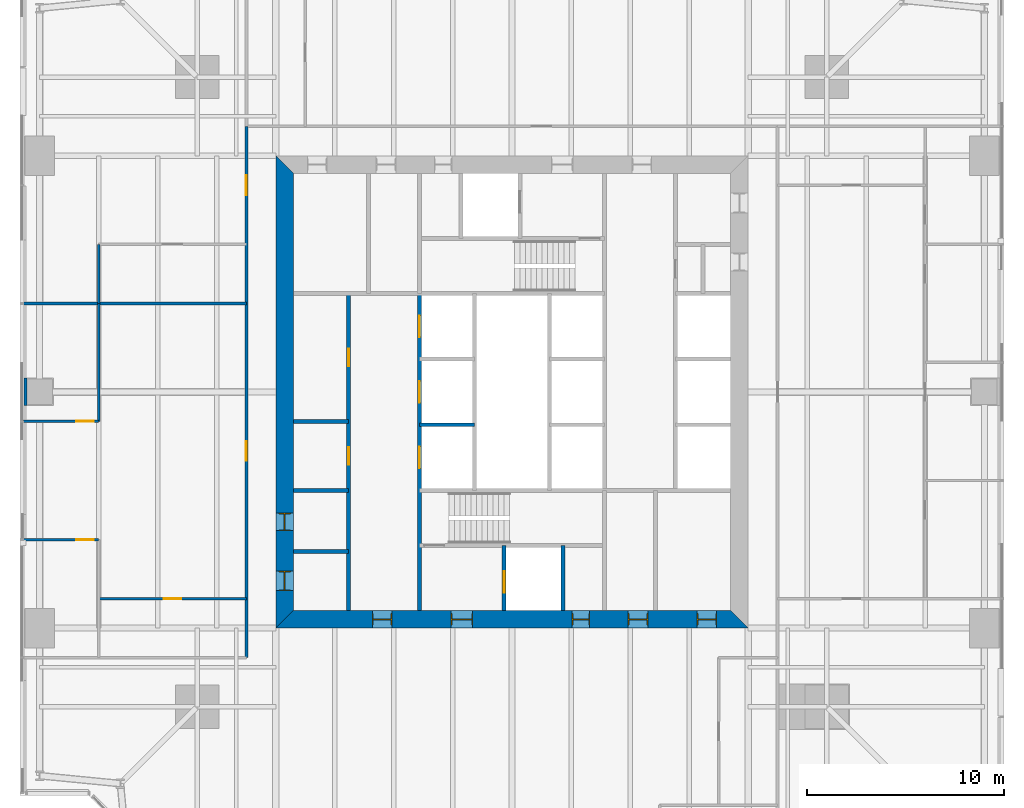
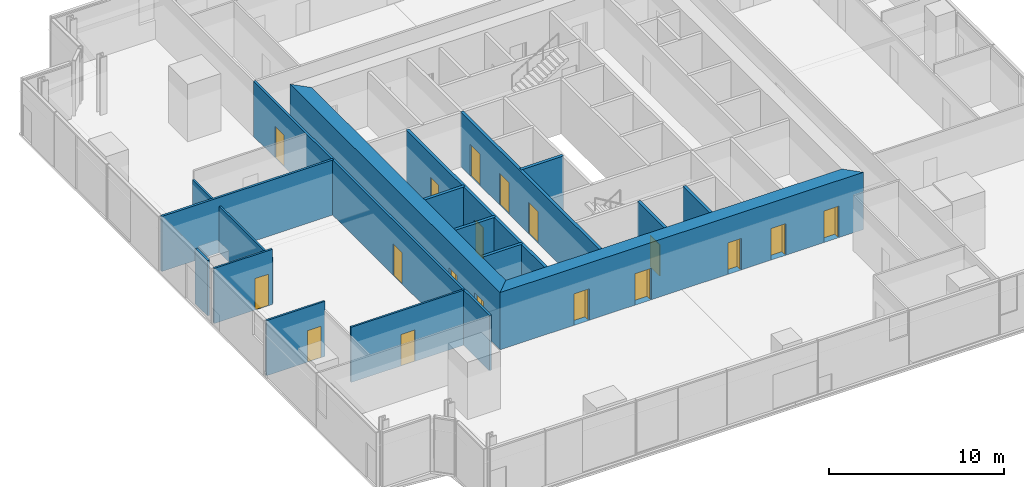
# One storey, part 9 of 13: 18 doors, 18 walls, 18 openings.
"""IFC4 building model written with IfcOpenShell, lengths in metres."""

from ifc_helpers import new_model, si_unit, direction, frame, frame_2d, origin, place, context, subcontext, project, spatial, polyline, rectangle, outline, extrude, material, layer, layer_set, type_object, element, fill, save


model = new_model("IFC4")

# Units and contexts
model_context = context("Model", 3, precision=1e-05, world=origin(), true_north=direction((0.0, 1.0)))
body_context = subcontext(model_context, "Body", "Model", "MODEL_VIEW")
ifc_project = project(units=[si_unit("LENGTHUNIT", "METRE"), si_unit("AREAUNIT", "SQUARE_METRE"), si_unit("VOLUMEUNIT", "CUBIC_METRE"), si_unit("PLANEANGLEUNIT", "RADIAN"), si_unit("MASSUNIT", "GRAM", prefix="KILO")], contexts=[model_context])

# Site, building, storey
site_placement = place(None, origin())
site = spatial("IfcSite", under=ifc_project, at=site_placement, CompositionType="ELEMENT")
building_placement = place(site_placement, origin())
building = spatial("IfcBuilding", under=site, at=building_placement, Name="Fenwick Lantern Interchange", CompositionType="ELEMENT")
storey_placement = place(building_placement, frame((0.0, 0.0, 138.39990234375)))
storey = spatial("IfcBuildingStorey", under=building, at=storey_placement, Name="L32", CompositionType="ELEMENT", Elevation=138.39990234375)

# Wall
ifc_material_1 = material(Name="Fire-rated gypsum board encasement on steel studs, 2 hour", Category="steel")
ifc_layer_1 = layer(ifc_material_1, 1.39990234375)
ifc_layer_set_1 = layer_set([ifc_layer_1], Name="COLUMN PIER 1400")
wall_type_1 = type_object("IfcWallType", Name="COLUMN PIER 1400", PredefinedType="PARTITIONING", material=ifc_layer_set_1)
wall_1_placement = place(storey_placement, frame((0.199951171875, 25.0, 0.0), z_axis=(0.0, 0.0, 1.0), x_axis=(1.0, 0.0, 0.0)))
element("IfcWall", 1, at=wall_1_placement, inside=storey, type_object=wall_type_1, Name="L32/W/PIER/CW3", PredefinedType="PARTITIONING", context=body_context, shape_type="SweptSolid", body=[
    extrude(rectangle(XDim=0.150146484375, YDim=1.39990234375, at=frame_2d((0.0751953125, 0.0))), origin(), (0.0, 0.0, 1.0), 3.85009765625),
])

# Wall, openings, doors
ifc_material_2 = material(Name="Concrete masonry ASTM C90 Grade N", Category="masonry")
ifc_layer_2 = layer(ifc_material_2, 0.199951171875)
ifc_layer_set_2 = layer_set([ifc_layer_2], Name="Concrete masonry ASTM C90 Grade N")
wall_type_2 = type_object("IfcWallType", Name="CORE PARTITION 200", PredefinedType="PARTITIONING", material=ifc_layer_set_2)
wall_2_placement = place(storey_placement, frame((16.699951171875, 13.89990234375, 0.0), z_axis=(0.0, 0.0, 1.0), x_axis=(0.0, 1.0, 0.0)))
wall_2 = element("IfcWall", 2, at=wall_2_placement, inside=storey, type_object=wall_type_2, Name="L32/W/CORES/a", PredefinedType="PARTITIONING", context=body_context, shape_type="SweptSolid", body=[
    extrude(rectangle(XDim=16.10009765625, YDim=0.199951171875, at=frame_2d((8.050048828125, 0.0))), origin(), (0.0, 0.0, 1.0), 3.800048828125),
])
opening_1_placement = place(wall_2_placement, frame((7.39990234375, 0.0, 0.0)))
opening_1 = element("IfcOpeningElement", 3, at=opening_1_placement, cuts=wall_2, Name="Opening L32-D009", PredefinedType="OPENING", context=body_context, shape_type="SweptSolid", body=[
    extrude(rectangle(XDim=0.89990234375, YDim=2.199951171875, at=frame_2d((0.449951171875, 1.10009765625))), frame((0.0, 0.10986328125, 0.0), z_axis=(0.0, -1.0, 0.0), x_axis=(1.0, 0.0, 0.0)), (0.0, 0.0, 1.0), 0.219970703125),
])
opening_2_placement = place(wall_2_placement, frame((12.39990234375, 0.0, 0.0)))
opening_2 = element("IfcOpeningElement", 4, at=opening_2_placement, cuts=wall_2, Name="Opening L32-D010", PredefinedType="OPENING", context=body_context, shape_type="SweptSolid", body=[
    extrude(rectangle(XDim=0.89990234375, YDim=2.199951171875, at=frame_2d((0.449951171875, 1.10009765625))), frame((0.0, 0.10986328125, 0.0), z_axis=(0.0, -1.0, 0.0), x_axis=(1.0, 0.0, 0.0)), (0.0, 0.0, 1.0), 0.219970703125),
])
ifc_material_3 = material(Name="Steel door and frame", Category="steel")
door_type_1 = type_object("IfcDoorType", Name="SERVICE DOOR 900 X 2200", OperationType="SINGLE_SWING_LEFT", PredefinedType="DOOR", material=ifc_material_3)
door_1_placement = place(opening_1_placement, origin())
door_1 = element("IfcDoor", 5, at=door_1_placement, inside=storey, type_object=door_type_1, Name="Service door", OperationType="SINGLE_SWING_LEFT", OverallHeight=2.199951171875, OverallWidth=0.89990234375, PredefinedType="DOOR", context=body_context, shape_type="SweptSolid", body=[
    extrude(rectangle(XDim=0.89990234375, YDim=2.199951171875, at=frame_2d((0.449951171875, 1.10009765625))), frame((0.0, 0.02490234375, 0.0), z_axis=(0.0, -1.0, 0.0), x_axis=(1.0, 0.0, 0.0)), (0.0, 0.0, 1.0), 0.050048828125),
])
fill(opening_1, door_1)
door_2_placement = place(opening_2_placement, origin())
door_2 = element("IfcDoor", 6, at=door_2_placement, inside=storey, type_object=door_type_1, Name="Service door", OperationType="SINGLE_SWING_LEFT", OverallHeight=2.199951171875, OverallWidth=0.89990234375, PredefinedType="DOOR", context=body_context, shape_type="SweptSolid", body=[
    extrude(rectangle(XDim=0.89990234375, YDim=2.199951171875, at=frame_2d((0.449951171875, 1.10009765625))), frame((0.0, 0.02490234375, 0.0), z_axis=(0.0, -1.0, 0.0), x_axis=(1.0, 0.0, 0.0)), (0.0, 0.0, 1.0), 0.050048828125),
])
fill(opening_2, door_2)

# Wall
wall_3_placement = place(storey_placement, frame((20.300048828125, 23.333251953125, 0.0), z_axis=(0.0, 0.0, 1.0), x_axis=(1.0, 0.0, 0.0)))
element("IfcWall", 7, at=wall_3_placement, inside=storey, type_object=wall_type_2, Name="L32/W/CORES/e1", PredefinedType="PARTITIONING", context=body_context, shape_type="SweptSolid", body=[
    extrude(rectangle(XDim=2.800048828125, YDim=0.199951171875, at=frame_2d((1.39990234375, 0.0))), origin(), (0.0, 0.0, 1.0), 3.800048828125),
])

# Wall, opening, door
wall_4_placement = place(storey_placement, frame((24.60009765625, 13.89990234375, 0.0), z_axis=(0.0, 0.0, 1.0), x_axis=(0.0, 1.0, 0.0)))
wall_4 = element("IfcWall", 8, at=wall_4_placement, inside=storey, type_object=wall_type_2, Name="L32/W/CORES/h1", PredefinedType="PARTITIONING", context=body_context, shape_type="SweptSolid", body=[
    extrude(rectangle(XDim=3.300048828125, YDim=0.199951171875, at=frame_2d((1.64990234375, 0.0))), origin(), (0.0, 0.0, 1.0), 3.800048828125),
])
opening_3_placement = place(wall_4_placement, frame((0.89990234375, 0.0, 0.0)))
opening_3 = element("IfcOpeningElement", 9, at=opening_3_placement, cuts=wall_4, Name="Opening LD-FL1", PredefinedType="OPENING", context=body_context, shape_type="SweptSolid", body=[
    extrude(rectangle(XDim=1.10009765625, YDim=2.199951171875, at=frame_2d((0.550048828125, 1.10009765625))), frame((0.0, 0.10986328125, 0.0), z_axis=(0.0, -1.0, 0.0), x_axis=(1.0, 0.0, 0.0)), (0.0, 0.0, 1.0), 0.219970703125),
])
door_type_2 = type_object("IfcDoorType", Name="LIFT LANDING DOOR 1100 X 2200", OperationType="DOUBLE_DOOR_SLIDING", PredefinedType="DOOR", material=ifc_material_3)
door_3_placement = place(opening_3_placement, origin())
door_3 = element("IfcDoor", 10, at=door_3_placement, inside=storey, type_object=door_type_2, Name="Lift landing door FL1", OperationType="DOUBLE_DOOR_SLIDING", OverallHeight=2.199951171875, OverallWidth=1.10009765625, PredefinedType="DOOR", context=body_context, shape_type="SweptSolid", body=[
    extrude(rectangle(XDim=1.10009765625, YDim=2.199951171875, at=frame_2d((0.550048828125, 1.10009765625))), frame((0.0, 0.02490234375, 0.0), z_axis=(0.0, -1.0, 0.0), x_axis=(1.0, 0.0, 0.0)), (0.0, 0.0, 1.0), 0.050048828125),
])
fill(opening_3, door_3)

# Walls
wall_5_placement = place(storey_placement, frame((27.60009765625, 13.89990234375, 0.0), z_axis=(0.0, 0.0, 1.0), x_axis=(0.0, 1.0, 0.0)))
element("IfcWall", 11, at=wall_5_placement, inside=storey, type_object=wall_type_2, Name="L32/W/CORES/h2", PredefinedType="PARTITIONING", context=body_context, shape_type="SweptSolid", body=[
    extrude(rectangle(XDim=3.300048828125, YDim=0.199951171875, at=frame_2d((1.64990234375, 0.0))), origin(), (0.0, 0.0, 1.0), 3.800048828125),
])
for number, where, z_axis, x_axis, name in (
    (12, (13.89990234375, 16.89990234375, 0.0), (0.0, 0.0, 1.0), (1.0, 0.0, 0.0), "L32/W/CORES/p1"),
    (13, (13.89990234375, 20.0, 0.0), (0.0, 0.0, 1.0), (1.0, 0.0, 0.0), "L32/W/CORES/p2"),
    (14, (13.89990234375, 23.5, 0.0), (0.0, 0.0, 1.0), (1.0, 0.0, 0.0), "L32/W/CORES/p3"),
):
    element("IfcWall", number, at=place(storey_placement, frame(where, z_axis=z_axis, x_axis=x_axis)), inside=storey, type_object=wall_type_2, Name=name, PredefinedType="PARTITIONING", context=body_context, shape_type="SweptSolid", body=[
        extrude(rectangle(XDim=2.800048828125, YDim=0.199951171875, at=frame_2d((1.39990234375, 0.0))), origin(), (0.0, 0.0, 1.0), 3.800048828125),
    ])

# Wall, openings, doors
ifc_material_4 = material(Name="Concrete f'c 70 MPa", Category="concrete")
ifc_layer_3 = layer(ifc_material_4, 0.89990234375)
ifc_layer_set_3 = layer_set([ifc_layer_3], Name="CORE WALL 900")
wall_type_3 = type_object("IfcWallType", Name="CORE WALL 900", PredefinedType="SHEAR", material=ifc_layer_set_3)
wall_6_placement = place(storey_placement, frame((13.0, 13.449951171875, 0.0), z_axis=(0.0, 0.0, 1.0), x_axis=(1.0, 0.0, 0.0)))
wall_6 = element("IfcWall", 15, at=wall_6_placement, inside=storey, type_object=wall_type_3, Name="L32/CORE/S", PredefinedType="SHEAR", context=body_context, shape_type="SweptSolid", body=[
    extrude(outline(polyline([(0.0, -0.449951171875), (24.0, -0.449951171875), (23.10009765625, 0.449951171875), (0.89990234375, 0.449951171875), (0.0, -0.449951171875)])), origin(), (0.0, 0.0, 1.0), 4.0),
])
opening_4_placement = place(wall_6_placement, frame((4.89990234375, 0.0, 0.0)))
opening_4 = element("IfcOpeningElement", 16, at=opening_4_placement, cuts=wall_6, Name="Opening L32-D001", PredefinedType="OPENING", context=body_context, shape_type="SweptSolid", body=[
    extrude(rectangle(XDim=1.0, YDim=2.199951171875, at=frame_2d((0.5, 1.10009765625))), frame((0.0, 0.4599609375, 0.0), z_axis=(0.0, -1.0, 0.0), x_axis=(1.0, 0.0, 0.0)), (0.0, 0.0, 1.0), 0.919921875),
])
opening_5_placement = place(wall_6_placement, frame((8.89990234375, 0.0, 0.0)))
opening_5 = element("IfcOpeningElement", 17, at=opening_5_placement, cuts=wall_6, Name="Opening L32-D002", PredefinedType="OPENING", context=body_context, shape_type="SweptSolid", body=[
    extrude(rectangle(XDim=1.10009765625, YDim=2.199951171875, at=frame_2d((0.550048828125, 1.10009765625))), frame((0.0, 0.4599609375, 0.0), z_axis=(0.0, -1.0, 0.0), x_axis=(1.0, 0.0, 0.0)), (0.0, 0.0, 1.0), 0.919921875),
])
opening_6_placement = place(wall_6_placement, frame((15.050048828125, 0.0, 0.0)))
opening_6 = element("IfcOpeningElement", 18, at=opening_6_placement, cuts=wall_6, Name="Opening L32-D004", PredefinedType="OPENING", context=body_context, shape_type="SweptSolid", body=[
    extrude(rectangle(XDim=0.89990234375, YDim=2.199951171875, at=frame_2d((0.449951171875, 1.10009765625))), frame((0.0, 0.4599609375, 0.0), z_axis=(0.0, -1.0, 0.0), x_axis=(1.0, 0.0, 0.0)), (0.0, 0.0, 1.0), 0.919921875),
])
opening_7_placement = place(wall_6_placement, frame((17.89990234375, 0.0, 0.0)))
opening_7 = element("IfcOpeningElement", 19, at=opening_7_placement, cuts=wall_6, Name="Opening L32-D005", PredefinedType="OPENING", context=body_context, shape_type="SweptSolid", body=[
    extrude(rectangle(XDim=1.0, YDim=2.199951171875, at=frame_2d((0.5, 1.10009765625))), frame((0.0, 0.4599609375, 0.0), z_axis=(0.0, -1.0, 0.0), x_axis=(1.0, 0.0, 0.0)), (0.0, 0.0, 1.0), 0.919921875),
])
opening_8_placement = place(wall_6_placement, frame((21.39990234375, 0.0, 0.0)))
opening_8 = element("IfcOpeningElement", 20, at=opening_8_placement, cuts=wall_6, Name="Opening L32-D006", PredefinedType="OPENING", context=body_context, shape_type="SweptSolid", body=[
    extrude(rectangle(XDim=1.0, YDim=2.199951171875, at=frame_2d((0.5, 1.10009765625))), frame((0.0, 0.4599609375, 0.0), z_axis=(0.0, -1.0, 0.0), x_axis=(1.0, 0.0, 0.0)), (0.0, 0.0, 1.0), 0.919921875),
])
door_type_3 = type_object("IfcDoorType", Name="CORE LOBBY DOOR 1000 X 2200", OperationType="SINGLE_SWING_LEFT", PredefinedType="DOOR", material=ifc_material_3)
door_4_placement = place(opening_4_placement, origin())
door_4 = element("IfcDoor", 21, at=door_4_placement, inside=storey, type_object=door_type_3, Name="Core lobby door", OperationType="SINGLE_SWING_LEFT", OverallHeight=2.199951171875, OverallWidth=1.0, PredefinedType="DOOR", context=body_context, shape_type="SweptSolid", body=[
    extrude(rectangle(XDim=1.0, YDim=2.199951171875, at=frame_2d((0.5, 1.10009765625))), frame((0.0, 0.02490234375, 0.0), z_axis=(0.0, -1.0, 0.0), x_axis=(1.0, 0.0, 0.0)), (0.0, 0.0, 1.0), 0.050048828125),
    extrude(outline(polyline([(0.0, 0.0), (0.0400390625, 0.0), (0.0400390625, 2.159912109375), (0.9599609375, 2.159912109375), (0.9599609375, 0.0), (1.0, 0.0), (1.0, 2.199951171875), (0.0, 2.199951171875), (0.0, 0.0)])), frame((0.0, 0.300048828125, 0.0), z_axis=(0.0, -1.0, 0.0), x_axis=(1.0, 0.0, 0.0)), (0.0, 0.0, 1.0), 0.60009765625),
])
fill(opening_4, door_4)
door_type_4 = type_object("IfcDoorType", Name="FIRE LOBBY DOOR 1100 X 2200", OperationType="SINGLE_SWING_LEFT", PredefinedType="DOOR", material=ifc_material_3)
door_5_placement = place(opening_5_placement, origin())
door_5 = element("IfcDoor", 22, at=door_5_placement, inside=storey, type_object=door_type_4, Name="Fire lobby door", OperationType="SINGLE_SWING_LEFT", OverallHeight=2.199951171875, OverallWidth=1.10009765625, PredefinedType="DOOR", context=body_context, shape_type="SweptSolid", body=[
    extrude(rectangle(XDim=1.10009765625, YDim=2.199951171875, at=frame_2d((0.550048828125, 1.10009765625))), frame((0.0, 0.02490234375, 0.0), z_axis=(0.0, -1.0, 0.0), x_axis=(1.0, 0.0, 0.0)), (0.0, 0.0, 1.0), 0.050048828125),
    extrude(outline(polyline([(0.0, 0.0), (0.0400390625, 0.0), (0.0400390625, 2.159912109375), (1.06005859375, 2.159912109375), (1.06005859375, 0.0), (1.10009765625, 0.0), (1.10009765625, 2.199951171875), (0.0, 2.199951171875), (0.0, 0.0)])), frame((0.0, 0.300048828125, 0.0), z_axis=(0.0, -1.0, 0.0), x_axis=(1.0, 0.0, 0.0)), (0.0, 0.0, 1.0), 0.60009765625),
])
fill(opening_5, door_5)
door_6_placement = place(opening_6_placement, origin())
door_6 = element("IfcDoor", 23, at=door_6_placement, inside=storey, type_object=door_type_1, Name="Service door", OperationType="SINGLE_SWING_LEFT", OverallHeight=2.199951171875, OverallWidth=0.89990234375, PredefinedType="DOOR", context=body_context, shape_type="SweptSolid", body=[
    extrude(rectangle(XDim=0.89990234375, YDim=2.199951171875, at=frame_2d((0.449951171875, 1.10009765625))), frame((0.0, 0.02490234375, 0.0), z_axis=(0.0, -1.0, 0.0), x_axis=(1.0, 0.0, 0.0)), (0.0, 0.0, 1.0), 0.050048828125),
    extrude(outline(polyline([(0.0, 0.0), (0.0400390625, 0.0), (0.0400390625, 2.159912109375), (0.85986328125, 2.159912109375), (0.85986328125, 0.0), (0.89990234375, 0.0), (0.89990234375, 2.199951171875), (0.0, 2.199951171875), (0.0, 0.0)])), frame((0.0, 0.300048828125, 0.0), z_axis=(0.0, -1.0, 0.0), x_axis=(1.0, 0.0, 0.0)), (0.0, 0.0, 1.0), 0.60009765625),
])
fill(opening_6, door_6)
ifc_material_5 = material(Name="Hardwood door and steel frame", Category="steel")
door_type_5 = type_object("IfcDoorType", Name="WC DOOR 1000 X 2200", OperationType="SINGLE_SWING_LEFT", PredefinedType="DOOR", material=ifc_material_5)
door_7_placement = place(opening_7_placement, origin())
door_7 = element("IfcDoor", 24, at=door_7_placement, inside=storey, type_object=door_type_5, Name="Wc door", OperationType="SINGLE_SWING_RIGHT", OverallHeight=2.199951171875, OverallWidth=1.0, PredefinedType="DOOR", context=body_context, shape_type="SweptSolid", body=[
    extrude(rectangle(XDim=1.0, YDim=2.199951171875, at=frame_2d((0.5, 1.10009765625))), frame((0.0, 0.02490234375, 0.0), z_axis=(0.0, -1.0, 0.0), x_axis=(1.0, 0.0, 0.0)), (0.0, 0.0, 1.0), 0.050048828125),
    extrude(outline(polyline([(0.0, 0.0), (0.0400390625, 0.0), (0.0400390625, 2.159912109375), (0.9599609375, 2.159912109375), (0.9599609375, 0.0), (1.0, 0.0), (1.0, 2.199951171875), (0.0, 2.199951171875), (0.0, 0.0)])), frame((0.0, 0.300048828125, 0.0), z_axis=(0.0, -1.0, 0.0), x_axis=(1.0, 0.0, 0.0)), (0.0, 0.0, 1.0), 0.60009765625),
])
fill(opening_7, door_7)
door_8_placement = place(opening_8_placement, origin())
door_8 = element("IfcDoor", 25, at=door_8_placement, inside=storey, type_object=door_type_5, Name="Wc door", OperationType="SINGLE_SWING_RIGHT", OverallHeight=2.199951171875, OverallWidth=1.0, PredefinedType="DOOR", context=body_context, shape_type="SweptSolid", body=[
    extrude(rectangle(XDim=1.0, YDim=2.199951171875, at=frame_2d((0.5, 1.10009765625))), frame((0.0, 0.02490234375, 0.0), z_axis=(0.0, -1.0, 0.0), x_axis=(1.0, 0.0, 0.0)), (0.0, 0.0, 1.0), 0.050048828125),
    extrude(outline(polyline([(0.0, 0.0), (0.0400390625, 0.0), (0.0400390625, 2.159912109375), (0.9599609375, 2.159912109375), (0.9599609375, 0.0), (1.0, 0.0), (1.0, 2.199951171875), (0.0, 2.199951171875), (0.0, 0.0)])), frame((0.0, 0.300048828125, 0.0), z_axis=(0.0, -1.0, 0.0), x_axis=(1.0, 0.0, 0.0)), (0.0, 0.0, 1.0), 0.60009765625),
])
fill(opening_8, door_8)

wall_7_placement = place(storey_placement, frame((13.449951171875, 36.10009765625, 0.0), z_axis=(0.0, 0.0, 1.0), x_axis=(0.0, -1.0, 0.0)))
wall_7 = element("IfcWall", 26, at=wall_7_placement, inside=storey, type_object=wall_type_3, Name="L32/CORE/W", PredefinedType="SHEAR", context=body_context, shape_type="SweptSolid", body=[
    extrude(outline(polyline([(-0.89990234375, -0.449951171875), (23.10009765625, -0.449951171875), (22.199951171875, 0.449951171875), (0.0, 0.449951171875), (-0.89990234375, -0.449951171875)])), origin(), (0.0, 0.0, 1.0), 4.0),
])
opening_9_placement = place(wall_7_placement, frame((20.199951171875, 0.0, 0.0)))
opening_9 = element("IfcOpeningElement", 27, at=opening_9_placement, cuts=wall_7, Name="Opening L32-D007", PredefinedType="OPENING", context=body_context, shape_type="SweptSolid", body=[
    extrude(rectangle(XDim=1.0, YDim=2.199951171875, at=frame_2d((0.5, 1.10009765625))), frame((0.0, 0.4599609375, 0.0), z_axis=(0.0, -1.0, 0.0), x_axis=(1.0, 0.0, 0.0)), (0.0, 0.0, 1.0), 0.919921875),
])
opening_10_placement = place(wall_7_placement, frame((17.25, 0.0, 0.0)))
opening_10 = element("IfcOpeningElement", 28, at=opening_10_placement, cuts=wall_7, Name="Opening L32-D008", PredefinedType="OPENING", context=body_context, shape_type="SweptSolid", body=[
    extrude(rectangle(XDim=0.89990234375, YDim=2.199951171875, at=frame_2d((0.449951171875, 1.10009765625))), frame((0.0, 0.4599609375, 0.0), z_axis=(0.0, -1.0, 0.0), x_axis=(1.0, 0.0, 0.0)), (0.0, 0.0, 1.0), 0.919921875),
])
door_9_placement = place(opening_10_placement, origin())
door_9 = element("IfcDoor", 29, at=door_9_placement, inside=storey, type_object=door_type_1, Name="Service door", OperationType="SINGLE_SWING_RIGHT", OverallHeight=2.199951171875, OverallWidth=0.89990234375, PredefinedType="DOOR", context=body_context, shape_type="SweptSolid", body=[
    extrude(rectangle(XDim=0.89990234375, YDim=2.199951171875, at=frame_2d((0.449951171875, 1.10009765625))), frame((0.0, 0.02490234375, 0.0), z_axis=(0.0, -1.0, 0.0), x_axis=(1.0, 0.0, 0.0)), (0.0, 0.0, 1.0), 0.050048828125),
    extrude(outline(polyline([(0.0, 0.0), (0.0400390625, 0.0), (0.0400390625, 2.159912109375), (0.85986328125, 2.159912109375), (0.85986328125, 0.0), (0.89990234375, 0.0), (0.89990234375, 2.199951171875), (0.0, 2.199951171875), (0.0, 0.0)])), frame((0.0, 0.300048828125, 0.0), z_axis=(0.0, -1.0, 0.0), x_axis=(1.0, 0.0, 0.0)), (0.0, 0.0, 1.0), 0.60009765625),
])
fill(opening_10, door_9)
door_10_placement = place(opening_9_placement, origin())
door_10 = element("IfcDoor", 30, at=door_10_placement, inside=storey, type_object=door_type_5, Name="Wc door", OperationType="SINGLE_SWING_LEFT", OverallHeight=2.199951171875, OverallWidth=1.0, PredefinedType="DOOR", context=body_context, shape_type="SweptSolid", body=[
    extrude(rectangle(XDim=1.0, YDim=2.199951171875, at=frame_2d((0.5, 1.10009765625))), frame((0.0, 0.02490234375, 0.0), z_axis=(0.0, -1.0, 0.0), x_axis=(1.0, 0.0, 0.0)), (0.0, 0.0, 1.0), 0.050048828125),
    extrude(outline(polyline([(0.0, 0.0), (0.0400390625, 0.0), (0.0400390625, 2.159912109375), (0.9599609375, 2.159912109375), (0.9599609375, 0.0), (1.0, 0.0), (1.0, 2.199951171875), (0.0, 2.199951171875), (0.0, 0.0)])), frame((0.0, 0.300048828125, 0.0), z_axis=(0.0, -1.0, 0.0), x_axis=(1.0, 0.0, 0.0)), (0.0, 0.0, 1.0), 0.60009765625),
])
fill(opening_9, door_10)

ifc_material_6 = material(Name="Gypsum board on steel studs, 1 hour", Category="steel")
ifc_layer_4 = layer(ifc_material_6, 0.14990234375)
ifc_layer_set_4 = layer_set([ifc_layer_4], Name="CORRIDOR WALL 150")
wall_type_4 = type_object("IfcWallType", Name="CORRIDOR WALL 150", PredefinedType="PARTITIONING", material=ifc_layer_set_4)
wall_8_placement = place(storey_placement, frame((11.5, 38.5, 0.0), z_axis=(0.0, 0.0, 1.0), x_axis=(0.0, -1.0, 0.0)))
wall_8 = element("IfcWall", 31, at=wall_8_placement, inside=storey, type_object=wall_type_4, Name="L32/W/OFF/W/CW", PredefinedType="PARTITIONING", context=body_context, shape_type="SweptSolid", body=[
    extrude(rectangle(XDim=27.0, YDim=0.14990234375, at=frame_2d((13.5, 0.0))), origin(), (0.0, 0.0, 1.0), 3.85009765625),
])
opening_11_placement = place(wall_8_placement, frame((2.5, 0.0, 0.0)))
opening_11 = element("IfcOpeningElement", 32, at=opening_11_placement, cuts=wall_8, Name="Opening L32-D035", PredefinedType="OPENING", context=body_context, shape_type="SweptSolid", body=[
    extrude(rectangle(XDim=1.0, YDim=2.199951171875, at=frame_2d((0.5, 1.10009765625))), frame((0.0, 0.0849609375, 0.0), z_axis=(0.0, -1.0, 0.0), x_axis=(1.0, 0.0, 0.0)), (0.0, 0.0, 1.0), 0.169921875),
])
opening_12_placement = place(wall_8_placement, frame((16.0, 0.0, 0.0)))
opening_12 = element("IfcOpeningElement", 33, at=opening_12_placement, cuts=wall_8, Name="Opening L32-D037", PredefinedType="OPENING", context=body_context, shape_type="SweptSolid", body=[
    extrude(rectangle(XDim=1.0, YDim=2.199951171875, at=frame_2d((0.5, 1.10009765625))), frame((0.0, 0.0849609375, 0.0), z_axis=(0.0, -1.0, 0.0), x_axis=(1.0, 0.0, 0.0)), (0.0, 0.0, 1.0), 0.169921875),
])
door_type_6 = type_object("IfcDoorType", Name="SUITE ENTRANCE DOOR 1000 X 2200", OperationType="SINGLE_SWING_LEFT", PredefinedType="DOOR", material=ifc_material_3)
door_11_placement = place(opening_11_placement, frame((1.0, 0.0, 0.0), z_axis=(0.0, 0.0, 1.0), x_axis=(-1.0, 0.0, 0.0)))
door_11 = element("IfcDoor", 34, at=door_11_placement, inside=storey, type_object=door_type_6, Name="Suite entrance door", OperationType="SINGLE_SWING_LEFT", OverallHeight=2.199951171875, OverallWidth=1.0, PredefinedType="DOOR", context=body_context, shape_type="SweptSolid", body=[
    extrude(rectangle(XDim=1.0, YDim=2.199951171875, at=frame_2d((0.5, 1.10009765625))), frame((0.0, 0.02490234375, 0.0), z_axis=(0.0, -1.0, 0.0), x_axis=(1.0, 0.0, 0.0)), (0.0, 0.0, 1.0), 0.050048828125),
])
fill(opening_11, door_11)
door_12_placement = place(opening_12_placement, frame((1.0, 0.0, 0.0), z_axis=(0.0, 0.0, 1.0), x_axis=(-1.0, 0.0, 0.0)))
door_12 = element("IfcDoor", 35, at=door_12_placement, inside=storey, type_object=door_type_6, Name="Suite entrance door", OperationType="SINGLE_SWING_RIGHT", OverallHeight=2.199951171875, OverallWidth=1.0, PredefinedType="DOOR", context=body_context, shape_type="SweptSolid", body=[
    extrude(rectangle(XDim=1.0, YDim=2.199951171875, at=frame_2d((0.5, 1.10009765625))), frame((0.0, 0.02490234375, 0.0), z_axis=(0.0, -1.0, 0.0), x_axis=(1.0, 0.0, 0.0)), (0.0, 0.0, 1.0), 0.050048828125),
])
fill(opening_12, door_12)

# Wall, opening, door
ifc_material_7 = material(Name="Gypsum board on steel studs, acoustic", Category="steel")
ifc_layer_5 = layer(ifc_material_7, 0.125)
ifc_layer_set_5 = layer_set([ifc_layer_5], Name="OFFICE PARTITION 125")
wall_type_5 = type_object("IfcWallType", Name="OFFICE PARTITION 125", PredefinedType="PARTITIONING", material=ifc_layer_set_5)
wall_9_placement = place(storey_placement, frame((0.14990234375, 23.5, 0.0), z_axis=(0.0, 0.0, 1.0), x_axis=(1.0, 0.0, 0.0)))
wall_9 = element("IfcWall", 36, at=wall_9_placement, inside=storey, type_object=wall_type_5, Name="L32/W/OFF/W/X265-1", PredefinedType="PARTITIONING", context=body_context, shape_type="SweptSolid", body=[
    extrude(rectangle(XDim=3.85009765625, YDim=0.125, at=frame_2d((1.925048828125, 0.0))), origin(), (0.0, 0.0, 1.0), 3.85009765625),
])
opening_13_placement = place(wall_9_placement, frame((2.699951171875, 0.0, 0.0)))
opening_13 = element("IfcOpeningElement", 37, at=opening_13_placement, cuts=wall_9, Name="Opening L32-D038", PredefinedType="OPENING", context=body_context, shape_type="SweptSolid", body=[
    extrude(rectangle(XDim=0.89990234375, YDim=2.199951171875, at=frame_2d((0.449951171875, 1.10009765625))), frame((0.0, 0.072509765625, 0.0), z_axis=(0.0, -1.0, 0.0), x_axis=(1.0, 0.0, 0.0)), (0.0, 0.0, 1.0), 0.14501953125),
])
door_type_7 = type_object("IfcDoorType", Name="OFFICE DOOR 900 X 2200", OperationType="SINGLE_SWING_LEFT", PredefinedType="DOOR", material=ifc_material_5)
door_13_placement = place(opening_13_placement, origin())
door_13 = element("IfcDoor", 38, at=door_13_placement, inside=storey, type_object=door_type_7, Name="Office door", OperationType="SINGLE_SWING_RIGHT", OverallHeight=2.199951171875, OverallWidth=0.89990234375, PredefinedType="DOOR", context=body_context, shape_type="SweptSolid", body=[
    extrude(rectangle(XDim=0.89990234375, YDim=2.199951171875, at=frame_2d((0.449951171875, 1.10009765625))), frame((0.0, 0.02490234375, 0.0), z_axis=(0.0, -1.0, 0.0), x_axis=(1.0, 0.0, 0.0)), (0.0, 0.0, 1.0), 0.050048828125),
])
fill(opening_13, door_13)

wall_10_placement = place(storey_placement, frame((0.14990234375, 17.5, 0.0), z_axis=(0.0, 0.0, 1.0), x_axis=(1.0, 0.0, 0.0)))
wall_10 = element("IfcWall", 39, at=wall_10_placement, inside=storey, type_object=wall_type_5, Name="L32/W/OFF/W/X325-1", PredefinedType="PARTITIONING", context=body_context, shape_type="SweptSolid", body=[
    extrude(rectangle(XDim=3.85009765625, YDim=0.125, at=frame_2d((1.925048828125, 0.0))), origin(), (0.0, 0.0, 1.0), 3.85009765625),
])
opening_14_placement = place(wall_10_placement, frame((2.699951171875, 0.0, 0.0)))
opening_14 = element("IfcOpeningElement", 40, at=opening_14_placement, cuts=wall_10, Name="Opening L32-D039", PredefinedType="OPENING", context=body_context, shape_type="SweptSolid", body=[
    extrude(rectangle(XDim=0.89990234375, YDim=2.199951171875, at=frame_2d((0.449951171875, 1.10009765625))), frame((0.0, 0.072509765625, 0.0), z_axis=(0.0, -1.0, 0.0), x_axis=(1.0, 0.0, 0.0)), (0.0, 0.0, 1.0), 0.14501953125),
])
door_14_placement = place(opening_14_placement, frame((0.89990234375, 0.0, 0.0), z_axis=(0.0, 0.0, 1.0), x_axis=(-1.0, 0.0, 0.0)))
door_14 = element("IfcDoor", 41, at=door_14_placement, inside=storey, type_object=door_type_7, Name="Office door", OperationType="SINGLE_SWING_LEFT", OverallHeight=2.199951171875, OverallWidth=0.89990234375, PredefinedType="DOOR", context=body_context, shape_type="SweptSolid", body=[
    extrude(rectangle(XDim=0.89990234375, YDim=2.199951171875, at=frame_2d((0.449951171875, 1.10009765625))), frame((0.0, 0.02490234375, 0.0), z_axis=(0.0, -1.0, 0.0), x_axis=(1.0, 0.0, 0.0)), (0.0, 0.0, 1.0), 0.050048828125),
])
fill(opening_14, door_14)

wall_11_placement = place(storey_placement, frame((4.0, 14.5, 0.0), z_axis=(0.0, 0.0, 1.0), x_axis=(1.0, 0.0, 0.0)))
wall_11 = element("IfcWall", 42, at=wall_11_placement, inside=storey, type_object=wall_type_5, Name="L32/W/OFF/W/X355-1", PredefinedType="PARTITIONING", context=body_context, shape_type="SweptSolid", body=[
    extrude(rectangle(XDim=7.5, YDim=0.125, at=frame_2d((3.75, 0.0))), origin(), (0.0, 0.0, 1.0), 3.85009765625),
])
opening_15_placement = place(wall_11_placement, frame((3.300048828125, 0.0, 0.0)))
opening_15 = element("IfcOpeningElement", 43, at=opening_15_placement, cuts=wall_11, Name="Opening L32-D040", PredefinedType="OPENING", context=body_context, shape_type="SweptSolid", body=[
    extrude(rectangle(XDim=0.89990234375, YDim=2.199951171875, at=frame_2d((0.449951171875, 1.10009765625))), frame((0.0, 0.072509765625, 0.0), z_axis=(0.0, -1.0, 0.0), x_axis=(1.0, 0.0, 0.0)), (0.0, 0.0, 1.0), 0.14501953125),
])
door_15_placement = place(opening_15_placement, frame((0.89990234375, 0.0, 0.0), z_axis=(0.0, 0.0, 1.0), x_axis=(-1.0, 0.0, 0.0)))
door_15 = element("IfcDoor", 44, at=door_15_placement, inside=storey, type_object=door_type_7, Name="Office door", OperationType="SINGLE_SWING_RIGHT", OverallHeight=2.199951171875, OverallWidth=0.89990234375, PredefinedType="DOOR", context=body_context, shape_type="SweptSolid", body=[
    extrude(rectangle(XDim=0.89990234375, YDim=2.199951171875, at=frame_2d((0.449951171875, 1.10009765625))), frame((0.0, 0.02490234375, 0.0), z_axis=(0.0, -1.0, 0.0), x_axis=(1.0, 0.0, 0.0)), (0.0, 0.0, 1.0), 0.050048828125),
])
fill(opening_15, door_15)

# Walls
wall_12_placement = place(storey_placement, frame((4.0, 32.5, 0.0), z_axis=(0.0, 0.0, 1.0), x_axis=(0.0, -1.0, 0.0)))
element("IfcWall", 45, at=wall_12_placement, inside=storey, type_object=wall_type_5, Name="L32/W/OFF/W/Y40-1", PredefinedType="PARTITIONING", context=body_context, shape_type="SweptSolid", body=[
    extrude(rectangle(XDim=3.0, YDim=0.125, at=frame_2d((1.5, 0.0))), origin(), (0.0, 0.0, 1.0), 3.238037109375),
])
wall_13_placement = place(storey_placement, frame((4.0, 29.5, 0.0), z_axis=(0.0, 0.0, 1.0), x_axis=(0.0, -1.0, 0.0)))
element("IfcWall", 46, at=wall_13_placement, inside=storey, type_object=wall_type_5, Name="L32/W/OFF/W/Y40-2", PredefinedType="PARTITIONING", context=body_context, shape_type="SweptSolid", body=[
    extrude(rectangle(XDim=6.0, YDim=0.125, at=frame_2d((3.0, 0.0))), origin(), (0.0, 0.0, 1.0), 3.238037109375),
])

# Wall, openings, doors
ifc_material_8 = material(Name="Concrete f'c 45 MPa", Category="concrete")
ifc_layer_6 = layer(ifc_material_8, 0.199951171875)
ifc_layer_set_6 = layer_set([ifc_layer_6], Name="STAIR CORE WALL 200")
wall_type_6 = type_object("IfcWallType", Name="STAIR CORE WALL 200", PredefinedType="SOLIDWALL", material=ifc_layer_set_6)
wall_14_placement = place(storey_placement, frame((20.300048828125, 13.89990234375, 0.0), z_axis=(0.0, 0.0, 1.0), x_axis=(0.0, 1.0, 0.0)))
wall_14 = element("IfcWall", 47, at=wall_14_placement, inside=storey, type_object=wall_type_6, Name="L32/W/CORES/b", PredefinedType="SOLIDWALL", context=body_context, shape_type="SweptSolid", body=[
    extrude(rectangle(XDim=16.10009765625, YDim=0.199951171875, at=frame_2d((8.050048828125, 0.0))), origin(), (0.0, 0.0, 1.0), 3.800048828125),
])
opening_16_placement = place(wall_14_placement, frame((7.216552734375, 0.0, 0.0)))
opening_16 = element("IfcOpeningElement", 48, at=opening_16_placement, cuts=wall_14, Name="Opening LD-W2-1", PredefinedType="OPENING", context=body_context, shape_type="SweptSolid", body=[
    extrude(rectangle(XDim=1.10009765625, YDim=2.199951171875, at=frame_2d((0.550048828125, 1.10009765625))), frame((0.0, 0.10986328125, 0.0), z_axis=(0.0, -1.0, 0.0), x_axis=(1.0, 0.0, 0.0)), (0.0, 0.0, 1.0), 0.219970703125),
])
opening_17_placement = place(wall_14_placement, frame((10.550048828125, 0.0, 0.0)))
opening_17 = element("IfcOpeningElement", 49, at=opening_17_placement, cuts=wall_14, Name="Opening LD-W2-2", PredefinedType="OPENING", context=body_context, shape_type="SweptSolid", body=[
    extrude(rectangle(XDim=1.10009765625, YDim=2.199951171875, at=frame_2d((0.550048828125, 1.10009765625))), frame((0.0, 0.10986328125, 0.0), z_axis=(0.0, -1.0, 0.0), x_axis=(1.0, 0.0, 0.0)), (0.0, 0.0, 1.0), 0.219970703125),
])
opening_18_placement = place(wall_14_placement, frame((13.88330078125, 0.0, 0.0)))
opening_18 = element("IfcOpeningElement", 50, at=opening_18_placement, cuts=wall_14, Name="Opening LD-W2-3", PredefinedType="OPENING", context=body_context, shape_type="SweptSolid", body=[
    extrude(rectangle(XDim=1.10009765625, YDim=2.199951171875, at=frame_2d((0.550048828125, 1.10009765625))), frame((0.0, 0.10986328125, 0.0), z_axis=(0.0, -1.0, 0.0), x_axis=(1.0, 0.0, 0.0)), (0.0, 0.0, 1.0), 0.219970703125),
])
door_16_placement = place(opening_16_placement, origin())
door_16 = element("IfcDoor", 51, at=door_16_placement, inside=storey, type_object=door_type_2, Name="Lift landing door W2-1", OperationType="DOUBLE_DOOR_SLIDING", OverallHeight=2.199951171875, OverallWidth=1.10009765625, PredefinedType="DOOR", context=body_context, shape_type="SweptSolid", body=[
    extrude(rectangle(XDim=1.10009765625, YDim=2.199951171875, at=frame_2d((0.550048828125, 1.10009765625))), frame((0.0, 0.02490234375, 0.0), z_axis=(0.0, -1.0, 0.0), x_axis=(1.0, 0.0, 0.0)), (0.0, 0.0, 1.0), 0.050048828125),
])
fill(opening_16, door_16)
door_17_placement = place(opening_17_placement, origin())
door_17 = element("IfcDoor", 52, at=door_17_placement, inside=storey, type_object=door_type_2, Name="Lift landing door W2-2", OperationType="DOUBLE_DOOR_SLIDING", OverallHeight=2.199951171875, OverallWidth=1.10009765625, PredefinedType="DOOR", context=body_context, shape_type="SweptSolid", body=[
    extrude(rectangle(XDim=1.10009765625, YDim=2.199951171875, at=frame_2d((0.550048828125, 1.10009765625))), frame((0.0, 0.02490234375, 0.0), z_axis=(0.0, -1.0, 0.0), x_axis=(1.0, 0.0, 0.0)), (0.0, 0.0, 1.0), 0.050048828125),
])
fill(opening_17, door_17)
door_18_placement = place(opening_18_placement, origin())
door_18 = element("IfcDoor", 53, at=door_18_placement, inside=storey, type_object=door_type_2, Name="Lift landing door W2-3", OperationType="DOUBLE_DOOR_SLIDING", OverallHeight=2.199951171875, OverallWidth=1.10009765625, PredefinedType="DOOR", context=body_context, shape_type="SweptSolid", body=[
    extrude(rectangle(XDim=1.10009765625, YDim=2.199951171875, at=frame_2d((0.550048828125, 1.10009765625))), frame((0.0, 0.02490234375, 0.0), z_axis=(0.0, -1.0, 0.0), x_axis=(1.0, 0.0, 0.0)), (0.0, 0.0, 1.0), 0.050048828125),
])
fill(opening_18, door_18)

# Wall
ifc_material_9 = material(Name="Gypsum board on steel studs, 1 hour acoustic", Category="steel")
ifc_layer_7 = layer(ifc_material_9, 0.14990234375)
ifc_layer_set_7 = layer_set([ifc_layer_7], Name="TENANT WALL 150")
wall_type_7 = type_object("IfcWallType", Name="TENANT WALL 150", PredefinedType="PARTITIONING", material=ifc_layer_set_7)
wall_15_placement = place(storey_placement, frame((0.14990234375, 29.5, 0.0), z_axis=(0.0, 0.0, 1.0), x_axis=(1.0, 0.0, 0.0)))
element("IfcWall", 54, at=wall_15_placement, inside=storey, type_object=wall_type_7, Name="L32/W/OFF/W/X205-1", PredefinedType="PARTITIONING", context=body_context, shape_type="SweptSolid", body=[
    extrude(rectangle(XDim=11.35009765625, YDim=0.14990234375, at=frame_2d((5.675048828125, 0.0))), origin(), (0.0, 0.0, 1.0), 3.85009765625),
])

save(model, "model.ifc")
